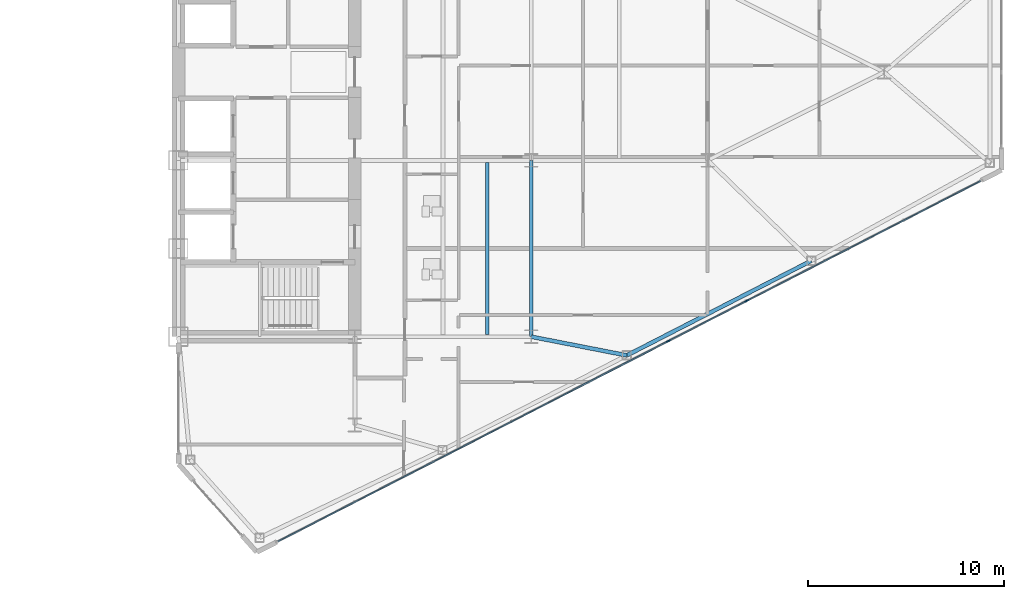
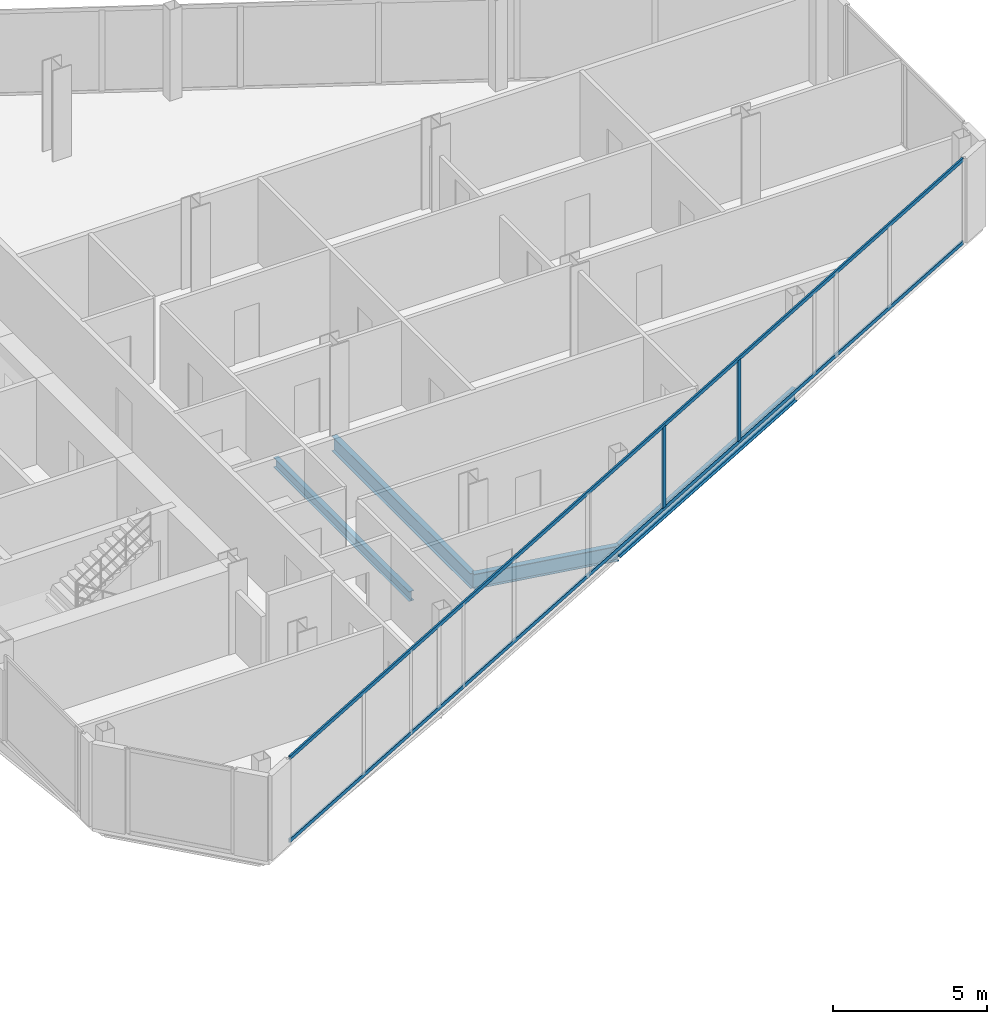
# One storey, part 9 of 23: 4 beams, 4 members, 1 element without a shape of its own.
"""IFC4 building model written with IfcOpenShell, lengths in metres."""

import ifcopenshell
import ifcopenshell.guid

model = None  # the IFC model being written
_history = None  # IfcOwnerHistory: only IFC2X3 demands one
_inside = {}  # id of a spatial element -> (the spatial element, [elements in it])
_under = {}  # id of a project, library or spatial element -> (it, [spatial elements below it])
_declared = {}  # id of a project -> (the project, [libraries it declares])
_typed = {}  # id of a type object -> (the type object, [elements of that type])
_made_of = {}  # id of a material, layer set ... -> (it, [elements and type objects made of it])


def new_model(schema):
    """Start an empty IFC model of exactly this schema.

    Asked for "IFC4X3", IfcOpenShell would pick the latest addendum, in which some entities
    have other attributes; the version numbers below select the first issue.
    IFC2X3 requires an IfcOwnerHistory on every rooted entity: one is made here for all.
    """
    global model, _history
    if schema == "IFC4X3":
        model = ifcopenshell.file(schema_version=(4, 3, 0, 0))
    else:
        model = ifcopenshell.file(schema=schema)
    _inside.clear()
    _under.clear()
    _declared.clear()
    _typed.clear()
    _made_of.clear()
    _history = None
    if model.schema == "IFC2X3":
        org = make("IfcOrganization", Name="unknown")
        user = make(
            "IfcPersonAndOrganization",
            ThePerson=make("IfcPerson", FamilyName="unknown"),
            TheOrganization=org,
        )
        app = make(
            "IfcApplication",
            ApplicationDeveloper=org,
            Version="unknown",
            ApplicationFullName="unknown",
            ApplicationIdentifier="unknown",
        )
        _history = make(
            "IfcOwnerHistory",
            OwningUser=user,
            OwningApplication=app,
            ChangeAction="ADDED",
            CreationDate=0,
        )
    return model


def make(cls, **values):
    """One entity of the class cls with the attributes given. An attribute that is None is left unset."""
    return model.create_entity(
        cls, **{name: value for name, value in values.items() if value is not None}
    )


def rooted(cls, **values):
    """An entity with a GlobalId (a new one), such as an element, a storey or a relation."""
    return make(cls, GlobalId=ifcopenshell.guid.new(), OwnerHistory=_history, **values)


def si_unit(unit_type, name, prefix=None):
    """IfcSIUnit, for example si_unit("LENGTHUNIT", "METRE", prefix="MILLI")."""
    return make("IfcSIUnit", UnitType=unit_type, Prefix=prefix, Name=name)


def assignment(units):
    """IfcUnitAssignment: the units of a project."""
    return None if units is None else make("IfcUnitAssignment", Units=units)


def point(xyz):
    """IfcCartesianPoint."""
    return None if xyz is None else make("IfcCartesianPoint", Coordinates=xyz)


def direction(xyz):
    """IfcDirection."""
    return None if xyz is None else make("IfcDirection", DirectionRatios=xyz)


def frame(location, z_axis=None, x_axis=None):
    """IfcAxis2Placement3D, a coordinate frame: its origin and axes. An axis left out is left unset."""
    return make(
        "IfcAxis2Placement3D",
        Location=point(location),
        Axis=direction(z_axis),
        RefDirection=direction(x_axis),
    )


def frame_2d(location, x_axis=None):
    """IfcAxis2Placement2D, a coordinate frame in the plane: its origin and x axis."""
    return make(
        "IfcAxis2Placement2D", Location=point(location), RefDirection=direction(x_axis)
    )


def origin():
    """The frame at (0, 0, 0) with its axes left unset."""
    return frame((0.0, 0.0, 0.0))


def origin_2d():
    """The frame at (0, 0) in the plane with its x axis left unset."""
    return frame_2d((0.0, 0.0))


def place(relative_to, where):
    """IfcLocalPlacement: puts the frame where relative to a parent placement (None: the world)."""
    return make(
        "IfcLocalPlacement", PlacementRelTo=relative_to, RelativePlacement=where
    )


def context(
    kind, dimensions, precision=None, world=None, true_north=None, identifier=None
):
    """IfcGeometricRepresentationContext, for example the 3D "Model" context."""
    return make(
        "IfcGeometricRepresentationContext",
        ContextIdentifier=identifier,
        ContextType=kind,
        CoordinateSpaceDimension=dimensions,
        Precision=precision,
        WorldCoordinateSystem=world,
        TrueNorth=true_north,
    )


def subcontext(parent, identifier, kind, view, scale=None):
    """IfcGeometricRepresentationSubContext, for example "Body" below "Model"."""
    return make(
        "IfcGeometricRepresentationSubContext",
        ContextIdentifier=identifier,
        ContextType=kind,
        ParentContext=parent,
        TargetScale=scale,
        TargetView=view,
    )


def project(units=None, contexts=None):
    """IfcProject with its units and contexts."""
    return rooted(
        "IfcProject",
        Name="project",
        RepresentationContexts=contexts,
        UnitsInContext=assignment(units),
    )


def spatial(cls, under=None, at=None, **own):
    """A site, building, storey or space (cls), placed at a placement, below another one or the project."""
    s = rooted(cls, ObjectPlacement=at, **own)
    if under is not None:
        _under.setdefault(under.id(), (under, []))[1].append(s)
    return s


def profile(cls, at=None, kind="AREA", **sizes):
    """A parametric profile (cls). Its sizes go by their IFC names, for example OverallWidth=200.0."""
    return make(cls, ProfileType=kind, Position=at, **sizes)


def rectangle(**sizes):
    """IfcRectangleProfileDef."""
    return profile("IfcRectangleProfileDef", **sizes)


def i_section(**sizes):
    """IfcIShapeProfileDef."""
    return profile("IfcIShapeProfileDef", **sizes)


def extrude(swept, where, along, depth):
    """IfcExtrudedAreaSolid: the profile swept, set in the frame where, extruded along a direction by depth."""
    return make(
        "IfcExtrudedAreaSolid",
        SweptArea=swept,
        Position=where,
        ExtrudedDirection=direction(along),
        Depth=depth,
    )


def shape(context_of_items, identifier, shape_type, items):
    """IfcShapeRepresentation: the items that make up one representation, for example the "Body"."""
    return make(
        "IfcShapeRepresentation",
        ContextOfItems=context_of_items,
        RepresentationIdentifier=identifier,
        RepresentationType=shape_type,
        Items=items,
    )


def source(mapping_origin, context_of_items, identifier, shape_type, items):
    """IfcRepresentationMap: a shape defined once, which mapped items show again and again."""
    return make(
        "IfcRepresentationMap",
        MappingOrigin=mapping_origin,
        MappedRepresentation=shape(context_of_items, identifier, shape_type, items),
    )


def transform(
    local_origin,
    x_axis=None,
    y_axis=None,
    z_axis=None,
    scale=None,
    scale2=None,
    scale3=None,
    uniform=True,
):
    """IfcCartesianTransformationOperator3D, or its non-uniform kind. x_axis, y_axis, z_axis: its Axis1, 2, 3."""
    if uniform:
        return make(
            "IfcCartesianTransformationOperator3D",
            Axis1=direction(x_axis),
            Axis2=direction(y_axis),
            LocalOrigin=point(local_origin),
            Scale=scale,
            Axis3=direction(z_axis),
        )
    return make(
        "IfcCartesianTransformationOperator3DnonUniform",
        Axis1=direction(x_axis),
        Axis2=direction(y_axis),
        LocalOrigin=point(local_origin),
        Scale=scale,
        Axis3=direction(z_axis),
        Scale2=scale2,
        Scale3=scale3,
    )


def mapped(mapping_source, mapping_target):
    """IfcMappedItem: shows the shape of a source again, moved by a transform."""
    return make(
        "IfcMappedItem", MappingSource=mapping_source, MappingTarget=mapping_target
    )


def material(Name=None, Category=None):
    """IfcMaterial."""
    return make("IfcMaterial", Name=Name, Category=Category)


def layer(
    of_material, thickness, ventilated=None, Name=None, Category=None, Priority=None
):
    """IfcMaterialLayer: one layer of a wall or slab, of a material (None: an air gap)."""
    return make(
        "IfcMaterialLayer",
        Material=of_material,
        LayerThickness=thickness,
        IsVentilated=ventilated,
        Name=Name,
        Category=Category,
        Priority=Priority,
    )


def layer_set(layers, Name=None):
    """IfcMaterialLayerSet."""
    return make("IfcMaterialLayerSet", MaterialLayers=layers, LayerSetName=Name)


def material_profile(
    of_material, cross_section, Name=None, Category=None, Priority=None
):
    """IfcMaterialProfile: a cross section and its material."""
    return make(
        "IfcMaterialProfile",
        Name=Name,
        Material=of_material,
        Profile=cross_section,
        Priority=Priority,
        Category=Category,
    )


def profile_set(profiles, Name=None, composite=None):
    """IfcMaterialProfileSet."""
    return make(
        "IfcMaterialProfileSet",
        Name=Name,
        MaterialProfiles=profiles,
        CompositeProfile=composite,
    )


def made_of(thing, what):
    """Note that an element or type object is made of a material, layer set ...; save() writes the relation."""
    if what is not None:
        _made_of.setdefault(what.id(), (what, []))[1].append(thing)
    return thing


def type_object(cls, material=None, **own):
    """A type object (cls), such as IfcWallType, which elements share."""
    return made_of(rooted(cls, **own), material)


def type_shapes(of_type, sources):
    """Give a type object the sources (RepresentationMaps) that its elements show as mapped items."""
    of_type.RepresentationMaps = sources


def element(
    cls,
    number,
    at=None,
    inside=None,
    cuts=None,
    type_object=None,
    material=None,
    context=None,
    identifier="Body",
    shape_type=None,
    held_by="IfcProductDefinitionShape",
    body=None,
    shapes=None,
    **own,
):
    """One element of the class cls, such as IfcWall. Its Tag is "e" and its number.

    at: its placement. inside: the storey or other place that contains it. cuts: it is an
    opening in that element (IfcRelVoidsElement). A single representation is given by context,
    identifier, shape_type and body (its items); several are given by shapes. held_by: the class
    of the entity that holds the representations. save() writes the other relations.
    """
    e = rooted(cls, Tag="e%d" % number, ObjectPlacement=at, **own)
    if body is not None:
        shapes = [shape(context, identifier, shape_type, body)]
    if shapes is not None:
        e.Representation = make(held_by, Representations=shapes)
    if inside is not None:
        _inside.setdefault(inside.id(), (inside, []))[1].append(e)
    if cuts is not None:
        rooted(
            "IfcRelVoidsElement", RelatingBuildingElement=cuts, RelatedOpeningElement=e
        )
    if type_object is not None:
        _typed.setdefault(type_object.id(), (type_object, []))[1].append(e)
    return made_of(e, material)


def aggregate(whole, parts):
    """IfcRelAggregates: a whole, such as a stair, and the parts it consists of."""
    return rooted("IfcRelAggregates", RelatingObject=whole, RelatedObjects=parts)


def save(model, path):
    """Write the relations noted so far, then the file.

    IfcRelAggregates (storeys below a building ...), IfcRelContainedInSpatialStructure (elements
    in a storey), IfcRelDefinesByType, IfcRelAssociatesMaterial and IfcRelDeclares: one each for
    every whole, place, type object, material and project.
    """
    for whole, parts in _under.values():
        aggregate(whole, parts)
    for where, things in _inside.values():
        rooted(
            "IfcRelContainedInSpatialStructure",
            RelatedElements=things,
            RelatingStructure=where,
        )
    for kind, things in _typed.values():
        rooted("IfcRelDefinesByType", RelatedObjects=things, RelatingType=kind)
    for what, things in _made_of.values():
        rooted("IfcRelAssociatesMaterial", RelatedObjects=things, RelatingMaterial=what)
    for by, libraries in _declared.values():
        rooted("IfcRelDeclares", RelatingContext=by, RelatedDefinitions=libraries)
    model.write(path)


model = new_model("IFC4")

# Units and contexts
model_context = context("Model", 3, precision=1e-05, world=origin(), true_north=direction((0.0, 1.0)))
body_context = subcontext(model_context, "Body", "Model", "MODEL_VIEW")
ifc_project = project(units=[si_unit("LENGTHUNIT", "METRE"), si_unit("AREAUNIT", "SQUARE_METRE"), si_unit("VOLUMEUNIT", "CUBIC_METRE"), si_unit("PLANEANGLEUNIT", "RADIAN"), si_unit("MASSUNIT", "GRAM", prefix="KILO")], contexts=[model_context])

# Site, building, storey
site_placement = place(None, origin())
site = spatial("IfcSite", under=ifc_project, at=site_placement, CompositionType="ELEMENT")
building_placement = place(site_placement, origin())
building = spatial("IfcBuilding", under=site, at=building_placement, Name="Seokmaru Belvedere", CompositionType="ELEMENT")
storey_placement = place(building_placement, frame((0.0, 0.0, 132.0)))
storey = spatial("IfcBuildingStorey", under=building, at=storey_placement, Name="L35", CompositionType="ELEMENT", Elevation=132.0)

# Beams
ifc_material_1 = material(Name="Steel SM355 (355 MPa)", Category="steel")
ifc_material_profile_1 = material_profile(ifc_material_1, i_section(OverallWidth=0.199951171875, OverallDepth=0.60009765625, WebThickness=0.010986328125, FlangeThickness=0.01708984375, at=origin_2d()), Name="H-600x200x11x17")
ifc_profile_set_1 = profile_set([ifc_material_profile_1], Name="Steel SM355 (355 MPa)")
beam_type_1 = type_object("IfcBeamType", Name="Primary Floor Girder H-600", PredefinedType="BEAM", material=ifc_profile_set_1)
shared_shape_1 = source(origin(), body_context, "Body", "SweptSolid", [
    extrude(i_section(OverallWidth=0.199951171875, OverallDepth=0.60009765625, WebThickness=0.010986328125, FlangeThickness=0.01708984375, at=origin_2d()), origin(), (0.0, 0.0, 1.0), 9.0),
])
beam_1_placement = place(storey_placement, frame((45.5, -13.5, -0.52001953125), z_axis=(0.0, 1.0, 0.0), x_axis=(-1.0, 0.0, 0.0)))
element("IfcBeam", 1, at=beam_1_placement, inside=storey, type_object=beam_type_1, Name="L35 E Interior Grid Girder 1", PredefinedType="BEAM", context=body_context, shape_type="MappedRepresentation", body=[
    mapped(shared_shape_1, transform((0.0, 0.0, 0.0), scale=1.0)),
])
ifc_material_profile_2 = material_profile(ifc_material_1, i_section(OverallWidth=0.18505859375, OverallDepth=0.389892578125, WebThickness=0.008056640625, FlangeThickness=0.011962890625, at=origin_2d()), Name="H-390x185x8x12")
ifc_profile_set_2 = profile_set([ifc_material_profile_2], Name="Steel SM355 (355 MPa)")
beam_type_2 = type_object("IfcBeamType", Name="Secondary Floor Joist H-350", PredefinedType="JOIST", material=ifc_profile_set_2)
shared_shape_2 = source(origin(), body_context, "Body", "SweptSolid", [
    extrude(i_section(OverallWidth=0.18505859375, OverallDepth=0.389892578125, WebThickness=0.008056640625, FlangeThickness=0.011962890625, at=origin_2d()), origin(), (0.0, 0.0, 1.0), 8.7900390625),
])
type_shapes(beam_type_2, [shared_shape_2])
beam_2_placement = place(storey_placement, frame((43.25, -13.39501953125, -0.4150390625), z_axis=(0.0, 1.0, 0.0), x_axis=(-1.0, 0.0, 0.0)))
element("IfcBeam", 2, at=beam_2_placement, inside=storey, type_object=beam_type_2, Name="L35 E Wing Inner Secondary Joist 1", PredefinedType="JOIST", context=body_context, shape_type="MappedRepresentation", body=[
    mapped(shared_shape_2, transform((0.0, 0.0, 0.0), scale=1.0)),
])
ifc_material_profile_3 = material_profile(ifc_material_1, i_section(OverallWidth=0.199951171875, OverallDepth=0.5, WebThickness=0.010009765625, FlangeThickness=0.01611328125, at=origin_2d()), Name="H-500x200x10x16")
ifc_profile_set_3 = profile_set([ifc_material_profile_3], Name="Steel SM355 (355 MPa)")
beam_type_3 = type_object("IfcBeamType", Name="Perimeter Spandrel Beam H-500", PredefinedType="SPANDREL", material=ifc_profile_set_3)
shared_shape_3 = source(origin(), body_context, "Body", "SweptSolid", [
    extrude(i_section(OverallWidth=0.199951171875, OverallDepth=0.5, WebThickness=0.010009765625, FlangeThickness=0.01611328125, at=origin_2d()), origin(), (0.0, 0.0, 1.0), 10.56689453125),
])
type_shapes(beam_type_3, [shared_shape_3])
beam_3_placement = place(storey_placement, frame((50.377197265625, -14.453369140625, -0.469970703125), z_axis=(0.889692588006, 0.456560071455, 0.0), x_axis=(-0.456560071455, 0.889692588006, 0.0)))
element("IfcBeam", 3, at=beam_3_placement, inside=storey, type_object=beam_type_3, Name="L35 E Faceted Flank Spandrel S-3", PredefinedType="SPANDREL", context=body_context, shape_type="MappedRepresentation", body=[
    mapped(shared_shape_3, transform((0.0, 0.0, 0.0), scale=1.0)),
])
shared_shape_4 = source(origin(), body_context, "Body", "SweptSolid", [
    extrude(i_section(OverallWidth=0.199951171875, OverallDepth=0.60009765625, WebThickness=0.010986328125, FlangeThickness=0.01708984375, at=origin_2d()), origin(), (0.0, 0.0, 1.0), 4.969482421875),
])
type_shapes(beam_type_1, [shared_shape_1, shared_shape_4])
beam_4_placement = place(storey_placement, frame((50.377197265625, -14.453369140625, -0.52001953125), z_axis=(-0.98142544456, 0.19184393858, 0.0), x_axis=(-0.19184393858, -0.98142544456, 0.0)))
element("IfcBeam", 4, at=beam_4_placement, inside=storey, type_object=beam_type_1, Name="L35 E Flank Radial Floor Girder S-2", PredefinedType="BEAM", context=body_context, shape_type="MappedRepresentation", body=[
    mapped(shared_shape_4, transform((0.0, 0.0, 0.0), scale=1.0)),
])

# Curtain wall, members
ifc_material_2 = material(Name="Bronze Triple Insulating Glass", Category="glass")
ifc_layer = layer(ifc_material_2, 0.195068359375)
ifc_layer_set = layer_set([ifc_layer], Name="Bronze Triple Insulating Glass")
curtain_wall_type = type_object("IfcCurtainWallType", Name="Sky-Lobby and Mid-Rise Curtain Wall System CW-4", PredefinedType="NOTDEFINED", material=ifc_layer_set)
curtain_wall_placement = place(storey_placement, origin())
curtain_wall = element("IfcCurtainWall", 5, at=curtain_wall_placement, inside=storey, type_object=curtain_wall_type, Name="L35 Curtain Wall EF1", PredefinedType="NOTDEFINED")
ifc_material_3 = material(Name="Anodised Bronze Aluminium", Category="aluminium")
ifc_material_profile_4 = material_profile(ifc_material_3, rectangle(XDim=0.06494140625, YDim=0.14990234375, at=origin_2d()), Name="CW-T-65x150")
ifc_profile_set_4 = profile_set([ifc_material_profile_4], Name="Anodised Bronze Aluminium")
member_type_1 = type_object("IfcMemberType", Name="Bronze Unitised Transom 65x150", PredefinedType="USERDEFINED", material=ifc_profile_set_4)
shared_shape_5 = source(origin(), body_context, "Body", "SweptSolid", [
    extrude(rectangle(XDim=0.06494140625, YDim=0.14990234375, at=origin_2d()), origin(), (0.0, 0.0, 1.0), 40.271240234375),
])
type_shapes(member_type_1, [shared_shape_5])
member_1_placement = place(storey_placement, frame((32.58544921875, -23.943115234375, 0.032470703125), z_axis=(0.889693089107, 0.456559094965, 0.0), x_axis=(-0.456559094965, 0.889693089107, 0.0)))
member_1 = element("IfcMember", 6, at=member_1_placement, type_object=member_type_1, Name="CW:L35:EF1 Continuous Transom 1", ObjectType="TRANSOM", PredefinedType="USERDEFINED", context=body_context, shape_type="MappedRepresentation", body=[
    mapped(shared_shape_5, transform((0.0, 0.0, 0.0), scale=1.0)),
])
member_2_placement = place(storey_placement, frame((32.58544921875, -23.943115234375, 3.3076171875), z_axis=(0.889693089107, 0.456559094965, 0.0), x_axis=(-0.456559094965, 0.889693089107, 0.0)))
member_2 = element("IfcMember", 7, at=member_2_placement, type_object=member_type_1, Name="CW:L35:EF1 Continuous Transom 2", ObjectType="TRANSOM", PredefinedType="USERDEFINED", context=body_context, shape_type="MappedRepresentation", body=[
    mapped(shared_shape_5, transform((0.0, 0.0, 0.0), scale=1.0)),
])
ifc_material_profile_5 = material_profile(ifc_material_3, rectangle(XDim=0.070068359375, YDim=0.195068359375, at=origin_2d()), Name="CW-M-70x195")
ifc_profile_set_5 = profile_set([ifc_material_profile_5], Name="Anodised Bronze Aluminium")
member_type_2 = type_object("IfcMemberType", Name="Bronze Unitised Mullion 70x195", PredefinedType="MULLION", material=ifc_profile_set_5)
shared_shape_6 = source(origin(), body_context, "Body", "SweptSolid", [
    extrude(rectangle(XDim=0.070068359375, YDim=0.195068359375, at=origin_2d()), origin(), (0.0, 0.0, 1.0), 3.2099609375),
])
type_shapes(member_type_2, [shared_shape_6])
member_3_placement = place(storey_placement, frame((52.497314453125, -13.72509765625, 0.06494140625), z_axis=(0.0, 0.0, 1.0), x_axis=(-0.456554528263, 0.889695432562, 0.0)))
member_3 = element("IfcMember", 8, at=member_3_placement, type_object=member_type_2, Name="CW:L35:EF1 Mullion 6", PredefinedType="MULLION", context=body_context, shape_type="MappedRepresentation", body=[
    mapped(shared_shape_6, transform((0.0, 0.0, 0.0), scale=1.0)),
])
member_4_placement = place(storey_placement, frame((56.4921875, -11.675048828125, 0.06494140625), z_axis=(0.0, 0.0, 1.0), x_axis=(-0.456554528263, 0.889695432562, 0.0)))
member_4 = element("IfcMember", 9, at=member_4_placement, type_object=member_type_2, Name="CW:L35:EF1 Mullion 7", PredefinedType="MULLION", context=body_context, shape_type="MappedRepresentation", body=[
    mapped(shared_shape_6, transform((0.0, 0.0, 0.0), scale=1.0)),
])
aggregate(curtain_wall, [member_3, member_4, member_1, member_2])

save(model, "model.ifc")
